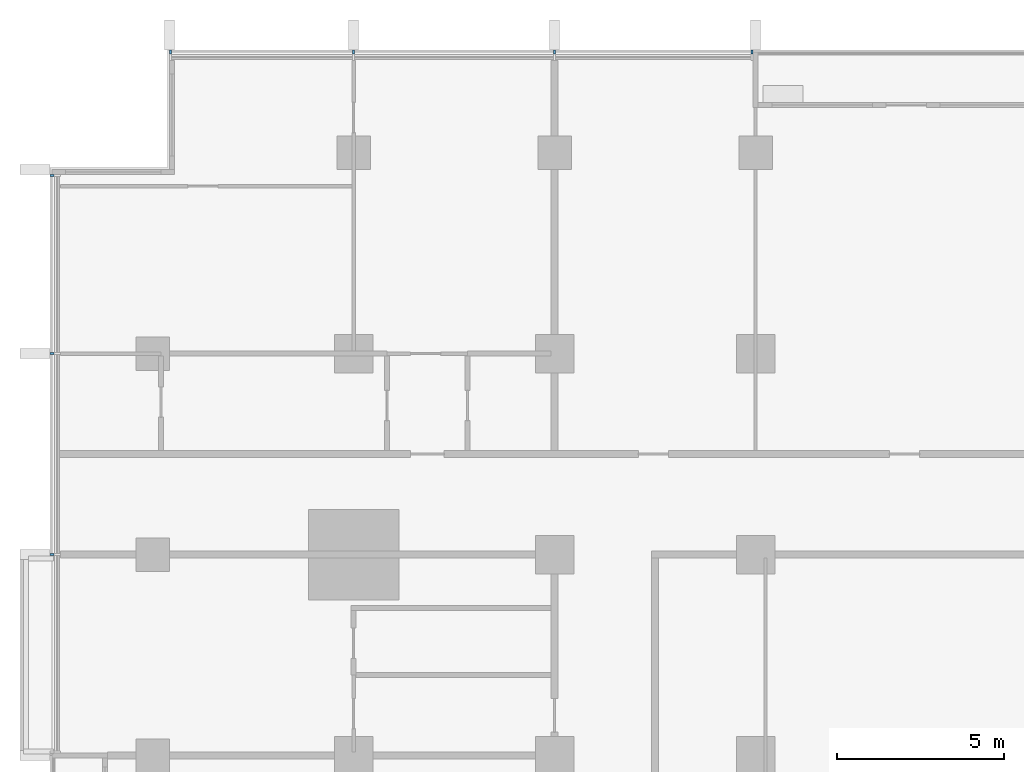
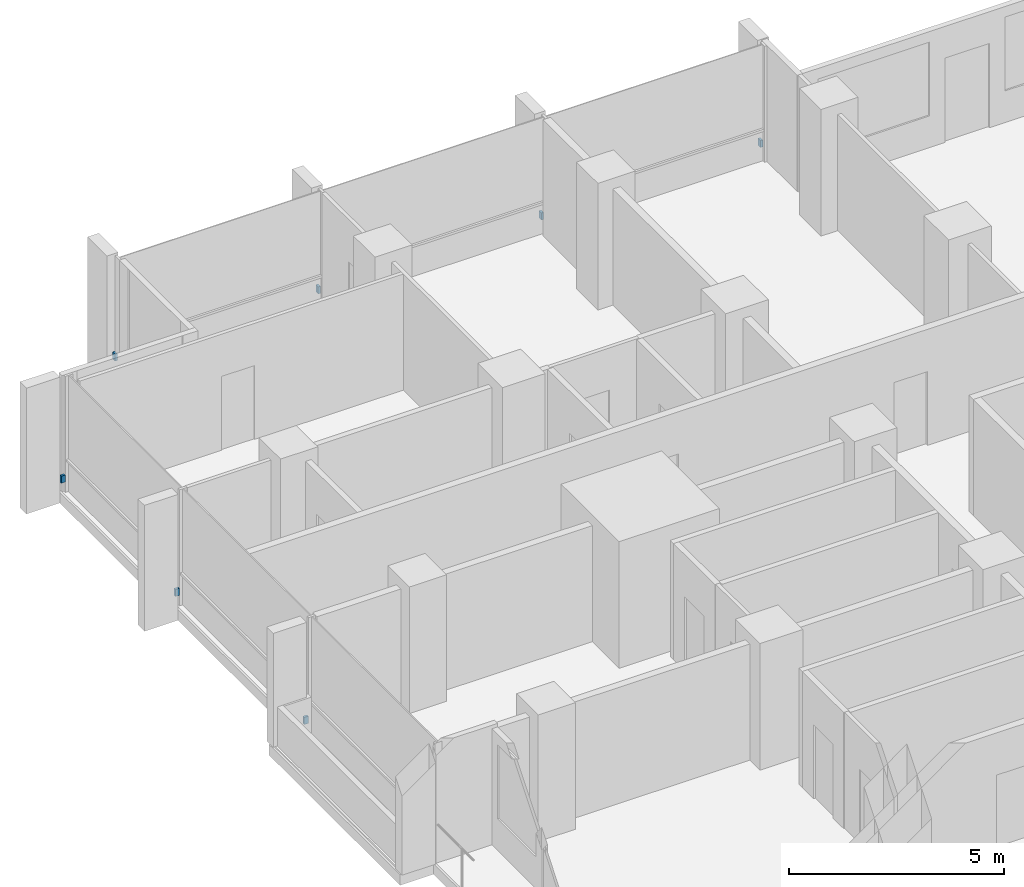
# One storey, part 15 of 17: 7 discrete accessories.
"""IFC4 building model written with IfcOpenShell, lengths in metres."""

from ifc_helpers import new_model, si_unit, direction, frame, origin, origin_2d, place, context, subcontext, project, spatial, rectangle, extrude, material, type_object, element, save


model = new_model("IFC4")

# Units and contexts
model_context = context("Model", 3, precision=1e-05, world=origin(), true_north=direction((0.0, 1.0)))
body_context = subcontext(model_context, "Body", "Model", "MODEL_VIEW")
ifc_project = project(units=[si_unit("LENGTHUNIT", "METRE"), si_unit("AREAUNIT", "SQUARE_METRE"), si_unit("VOLUMEUNIT", "CUBIC_METRE"), si_unit("PLANEANGLEUNIT", "RADIAN"), si_unit("MASSUNIT", "GRAM", prefix="KILO")], contexts=[model_context])

# Site, building, storey
site_placement = place(None, origin())
site = spatial("IfcSite", under=ifc_project, at=site_placement, CompositionType="ELEMENT")
building_placement = place(site_placement, origin())
building = spatial("IfcBuilding", under=site, at=building_placement, Name="Finial Court Residences", CompositionType="ELEMENT")
storey_placement = place(building_placement, frame((0.0, 0.0, 113.5)))
storey = spatial("IfcBuildingStorey", under=building, at=storey_placement, Name="L28", CompositionType="ELEMENT", Elevation=113.5)

# Discrete accessories
ifc_material = material(Name="Stainless steel 316", Category="steel")
discrete_accessory_type = type_object("IfcDiscreteAccessoryType", Name="Fin bracket, stainless steel 65 x 110 x 200", PredefinedType="BRACKET", material=ifc_material)
for number, where, z_axis, x_axis, name in (
    (1, (-21.967529296875, 22.5048828125, 0.2998046875), (0.0, 0.0, 1.0), (1.0, 0.0, 0.0), "E-L28-FIN-N1-BRK"),
    (2, (-16.5, 22.5048828125, 0.2998046875), (0.0, 0.0, 1.0), (1.0, 0.0, 0.0), "E-L28-FIN-N2-BRK"),
    (3, (-10.5, 22.5048828125, 0.2998046875), (0.0, 0.0, 1.0), (1.0, 0.0, 0.0), "E-L28-FIN-N3-BRK"),
    (4, (-4.607421875, 22.5048828125, 0.2998046875), (0.0, 0.0, 1.0), (1.0, 0.0, 0.0), "E-L28-FIN-N4-BRK"),
):
    element("IfcDiscreteAccessory", number, at=place(storey_placement, frame(where, z_axis=z_axis, x_axis=x_axis)), inside=storey, type_object=discrete_accessory_type, Name=name, PredefinedType="BRACKET", context=body_context, shape_type="SweptSolid", body=[
        extrude(rectangle(XDim=0.06494140625, YDim=0.110107421875, at=origin_2d()), origin(), (0.0, 0.0, 1.0), 0.199951171875),
    ])
for number, where, z_axis, x_axis, name in (
    (5, (-25.5048828125, 7.5, 0.2998046875), (0.0, 0.0, 1.0), (1.0, 0.0, 0.0), "E-L28-FIN-W30-BRK"),
    (6, (-25.5048828125, 13.5, 0.2998046875), (0.0, 0.0, 1.0), (1.0, 0.0, 0.0), "E-L28-FIN-W31-BRK"),
    (7, (-25.5048828125, 18.8173828125, 0.2998046875), (0.0, 0.0, 1.0), (1.0, 0.0, 0.0), "E-L28-FIN-W32-BRK"),
):
    element("IfcDiscreteAccessory", number, at=place(storey_placement, frame(where, z_axis=z_axis, x_axis=x_axis)), inside=storey, type_object=discrete_accessory_type, Name=name, PredefinedType="BRACKET", context=body_context, shape_type="SweptSolid", body=[
        extrude(rectangle(XDim=0.110107421875, YDim=0.06494140625, at=origin_2d()), origin(), (0.0, 0.0, 1.0), 0.199951171875),
    ])

save(model, "model.ifc")
